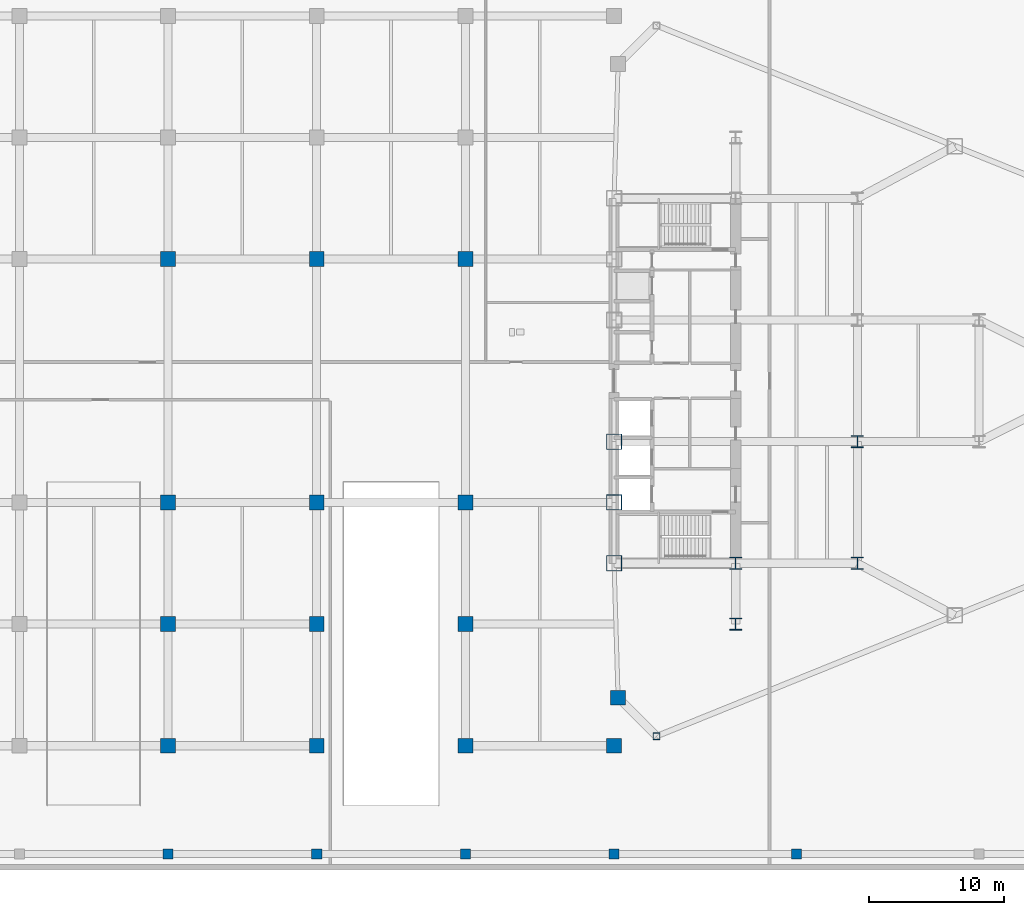
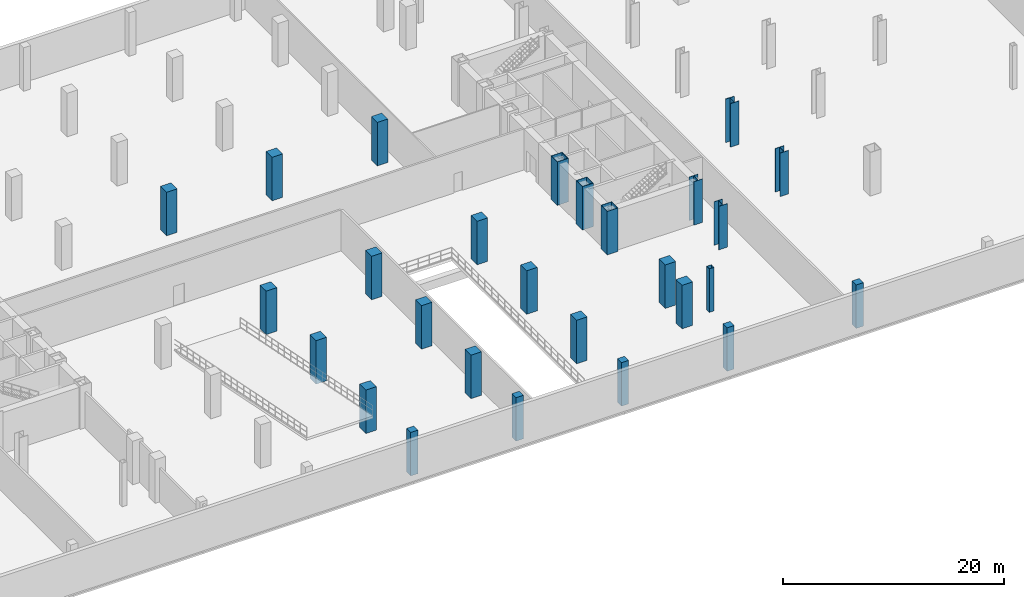
# One storey, part 3 of 18: 27 columns.
"""IFC4 building model written with IfcOpenShell, lengths in metres."""

from ifc_helpers import new_model, si_unit, direction, frame, origin, origin_2d, place, context, subcontext, project, spatial, rectangle, hollow_rectangle, i_section, extrude, source, transform, mapped, material, material_profile, profile_set, type_object, type_shapes, element, save


model = new_model("IFC4")

# Units and contexts
model_context = context("Model", 3, precision=1e-05, world=origin(), true_north=direction((0.0, 1.0)))
body_context = subcontext(model_context, "Body", "Model", "MODEL_VIEW")
ifc_project = project(units=[si_unit("LENGTHUNIT", "METRE"), si_unit("AREAUNIT", "SQUARE_METRE"), si_unit("VOLUMEUNIT", "CUBIC_METRE"), si_unit("PLANEANGLEUNIT", "RADIAN"), si_unit("MASSUNIT", "GRAM", prefix="KILO")], contexts=[model_context])

# Site, building, storey
site_placement = place(None, origin())
site = spatial("IfcSite", under=ifc_project, at=site_placement, CompositionType="ELEMENT")
building_placement = place(site_placement, origin())
building = spatial("IfcBuilding", under=site, at=building_placement, Name="Seokmaru Belvedere", CompositionType="ELEMENT")
storey_placement = place(building_placement, frame((0.0, 0.0, -4.800048828125)))
storey = spatial("IfcBuildingStorey", under=building, at=storey_placement, Name="B1", CompositionType="ELEMENT", Elevation=-4.800048828125)

# Columns
ifc_material_1 = material(Name="Steel HSA650 (650 MPa)", Category="steel")
ifc_material_profile_1 = material_profile(ifc_material_1, hollow_rectangle(XDim=1.14990234375, YDim=1.14990234375, WallThickness=0.048095703125, at=origin_2d()), Name="BOX-1150x1150x48")
ifc_profile_set_1 = profile_set([ifc_material_profile_1], Name="Steel HSA650 (650 MPa)")
column_type_1 = type_object("IfcColumnType", Name="Portal Spine Column BOX-1150", PredefinedType="COLUMN", material=ifc_profile_set_1)
shared_shape_1 = source(origin(), body_context, "Body", "SweptSolid", [
    extrude(hollow_rectangle(XDim=1.14990234375, YDim=1.14990234375, WallThickness=0.048095703125, at=origin_2d()), origin(), (0.0, 0.0, 1.0), 4.800048828125),
])
type_shapes(column_type_1, [shared_shape_1])
for number, where, z_axis, x_axis, name in (
    (1, (27.5, -13.5, 0.0), (0.0, 0.0, 1.0), (1.0, 0.0, 0.0), "B1 Column ES1"),
    (2, (27.5, -9.0, 0.0), (0.0, 0.0, 1.0), (1.0, 0.0, 0.0), "B1 Column ES2"),
    (3, (27.5, -4.5, 0.0), (0.0, 0.0, 1.0), (1.0, 0.0, 0.0), "B1 Column ES3"),
):
    element("IfcColumn", number, at=place(storey_placement, frame(where, z_axis=z_axis, x_axis=x_axis)), inside=storey, type_object=column_type_1, Name=name, PredefinedType="COLUMN", context=body_context, shape_type="MappedRepresentation", body=[
        mapped(shared_shape_1, transform((0.0, 0.0, 0.0), scale=1.0)),
    ])
ifc_material_2 = material(Name="Concrete C60 (60 MPa)", Category="concrete")
ifc_material_profile_2 = material_profile(ifc_material_2, rectangle(XDim=1.10009765625, YDim=1.10009765625, at=origin_2d()), Name="RC-1100x1100")
ifc_profile_set_2 = profile_set([ifc_material_profile_2], Name="Concrete C60 (60 MPa)")
column_type_2 = type_object("IfcColumnType", Name="Basement Substructure Column RC-1100", PredefinedType="COLUMN", material=ifc_profile_set_2)
shared_shape_2 = source(origin(), body_context, "Body", "SweptSolid", [
    extrude(rectangle(XDim=1.10009765625, YDim=1.10009765625, at=origin_2d()), origin(), (0.0, 0.0, 1.0), 4.800048828125),
])
type_shapes(column_type_2, [shared_shape_2])
for number, where, z_axis, x_axis, name in (
    (4, (27.5, -27.0, 0.0), (0.0, 0.0, 1.0), (1.0, 0.0, 0.0), "B1 Column EPS1"),
    (5, (27.800048828125, -23.451416015625, 0.0), (0.0, 0.0, 1.0), (1.0, 0.0, 0.0), "B1 Column EPM_S"),
    (6, (-5.5, -27.0, 0.0), (0.0, 0.0, 1.0), (1.0, 0.0, 0.0), "B1 Column CP2_1"),
    (7, (-5.5, -18.0, 0.0), (0.0, 0.0, 1.0), (1.0, 0.0, 0.0), "B1 Column CP2_2"),
    (8, (-5.5, -9.0, 0.0), (0.0, 0.0, 1.0), (1.0, 0.0, 0.0), "B1 Column CP2_3"),
    (9, (-5.5, 9.0, 0.0), (0.0, 0.0, 1.0), (1.0, 0.0, 0.0), "B1 Column CP2_4"),
    (10, (5.5, -27.0, 0.0), (0.0, 0.0, 1.0), (1.0, 0.0, 0.0), "B1 Column CP3_1"),
    (11, (5.5, -18.0, 0.0), (0.0, 0.0, 1.0), (1.0, 0.0, 0.0), "B1 Column CP3_2"),
    (12, (5.5, -9.0, 0.0), (0.0, 0.0, 1.0), (1.0, 0.0, 0.0), "B1 Column CP3_3"),
    (13, (5.5, 9.0, 0.0), (0.0, 0.0, 1.0), (1.0, 0.0, 0.0), "B1 Column CP3_4"),
    (14, (16.5, -27.0, 0.0), (0.0, 0.0, 1.0), (1.0, 0.0, 0.0), "B1 Column CP4_1"),
    (15, (16.5, -18.0, 0.0), (0.0, 0.0, 1.0), (1.0, 0.0, 0.0), "B1 Column CP4_2"),
    (16, (16.5, -9.0, 0.0), (0.0, 0.0, 1.0), (1.0, 0.0, 0.0), "B1 Column CP4_3"),
    (17, (16.5, 9.0, 0.0), (0.0, 0.0, 1.0), (1.0, 0.0, 0.0), "B1 Column CP4_4"),
):
    element("IfcColumn", number, at=place(storey_placement, frame(where, z_axis=z_axis, x_axis=x_axis)), inside=storey, type_object=column_type_2, Name=name, PredefinedType="COLUMN", context=body_context, shape_type="MappedRepresentation", body=[
        mapped(shared_shape_2, transform((0.0, 0.0, 0.0), scale=1.0)),
    ])
ifc_material_profile_3 = material_profile(ifc_material_1, i_section(OverallWidth=0.89990234375, OverallDepth=0.89990234375, WebThickness=0.035888671875, FlangeThickness=0.054931640625, at=origin_2d()), Name="H-900x900x36x55")
ifc_profile_set_3 = profile_set([ifc_material_profile_3], Name="Steel HSA650 (650 MPa)")
column_type_3 = type_object("IfcColumnType", Name="Lower Interior Column H-900", PredefinedType="COLUMN", material=ifc_profile_set_3)
shared_shape_3 = source(origin(), body_context, "Body", "SweptSolid", [
    extrude(i_section(OverallWidth=0.89990234375, OverallDepth=0.89990234375, WebThickness=0.035888671875, FlangeThickness=0.054931640625, at=origin_2d()), origin(), (0.0, 0.0, 1.0), 4.800048828125),
])
type_shapes(column_type_3, [shared_shape_3])
for number, where, z_axis, x_axis, name in (
    (18, (36.5, -18.0, 0.0), (0.0, 0.0, 1.0), (1.0, 0.0, 0.0), "B1 Column EC1"),
    (19, (36.5, -13.5, 0.0), (0.0, 0.0, 1.0), (1.0, 0.0, 0.0), "B1 Column EC2"),
    (20, (45.5, -13.5, 0.0), (0.0, 0.0, 1.0), (1.0, 0.0, 0.0), "B1 Column EG5_1"),
    (21, (45.5, -4.5, 0.0), (0.0, 0.0, 1.0), (1.0, 0.0, 0.0), "B1 Column EG5_2"),
):
    element("IfcColumn", number, at=place(storey_placement, frame(where, z_axis=z_axis, x_axis=x_axis)), inside=storey, type_object=column_type_3, Name=name, PredefinedType="COLUMN", context=body_context, shape_type="MappedRepresentation", body=[
        mapped(shared_shape_3, transform((0.0, 0.0, 0.0), scale=1.0)),
    ])
ifc_material_3 = material(Name="Steel SM355 (355 MPa)", Category="steel")
ifc_material_profile_4 = material_profile(ifc_material_3, hollow_rectangle(XDim=0.5, YDim=0.5, WallThickness=0.02001953125, at=origin_2d()), Name="HSS-500x500x20")
ifc_profile_set_4 = profile_set([ifc_material_profile_4], Name="Steel SM355 (355 MPa)")
column_type_4 = type_object("IfcColumnType", Name="Perimeter Facet Column HSS-500", PredefinedType="COLUMN", material=ifc_profile_set_4)
shared_shape_4 = source(origin(), body_context, "Body", "SweptSolid", [
    extrude(hollow_rectangle(XDim=0.5, YDim=0.5, WallThickness=0.02001953125, at=origin_2d()), origin(), (0.0, 0.0, 1.0), 4.800048828125),
])
type_shapes(column_type_4, [shared_shape_4])
column_placement = place(storey_placement, frame((30.643310546875, -26.294677734375, 0.0), z_axis=(0.0, 0.0, 1.0), x_axis=(1.0, 0.0, 0.0)))
element("IfcColumn", 22, at=column_placement, inside=storey, type_object=column_type_4, Name="B1 Column EF1", PredefinedType="COLUMN", context=body_context, shape_type="MappedRepresentation", body=[
    mapped(shared_shape_4, transform((0.0, 0.0, 0.0), scale=1.0)),
])
ifc_material_4 = material(Name="Concrete C50 (50 MPa)", Category="concrete")
ifc_material_profile_5 = material_profile(ifc_material_4, rectangle(XDim=0.75, YDim=0.75, at=origin_2d()), Name="RC-750x750")
ifc_profile_set_5 = profile_set([ifc_material_profile_5], Name="Concrete C50 (50 MPa)")
column_type_5 = type_object("IfcColumnType", Name="Plaza Substructure Pier Column RC-750", PredefinedType="COLUMN", material=ifc_profile_set_5)
shared_shape_5 = source(origin(), body_context, "Body", "SweptSolid", [
    extrude(rectangle(XDim=0.75, YDim=0.75, at=origin_2d()), origin(), (0.0, 0.0, 1.0), 4.800048828125),
])
type_shapes(column_type_5, [shared_shape_5])
for number, where, z_axis, x_axis, name in (
    (23, (-5.5, -35.0, 0.0), (0.0, 0.0, 1.0), (1.0, 0.0, 0.0), "B1 Column PLZ_S6"),
    (24, (5.5, -35.0, 0.0), (0.0, 0.0, 1.0), (1.0, 0.0, 0.0), "B1 Column PLZ_S7"),
    (25, (16.5, -35.0, 0.0), (0.0, 0.0, 1.0), (1.0, 0.0, 0.0), "B1 Column PLZ_S8"),
    (26, (27.5, -35.0, 0.0), (0.0, 0.0, 1.0), (1.0, 0.0, 0.0), "B1 Column PLZ_S9"),
    (27, (41.0, -35.0, 0.0), (0.0, 0.0, 1.0), (1.0, 0.0, 0.0), "B1 Column PLZ_S10"),
):
    element("IfcColumn", number, at=place(storey_placement, frame(where, z_axis=z_axis, x_axis=x_axis)), inside=storey, type_object=column_type_5, Name=name, PredefinedType="COLUMN", context=body_context, shape_type="MappedRepresentation", body=[
        mapped(shared_shape_5, transform((0.0, 0.0, 0.0), scale=1.0)),
    ])

save(model, "model.ifc")
